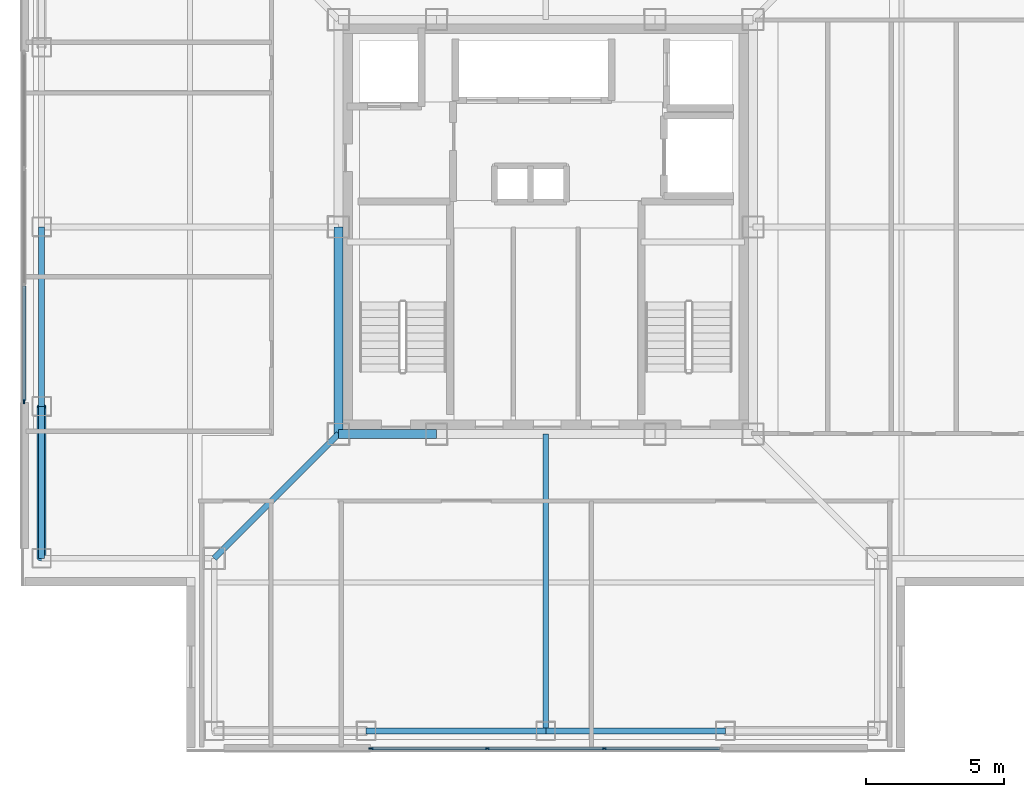
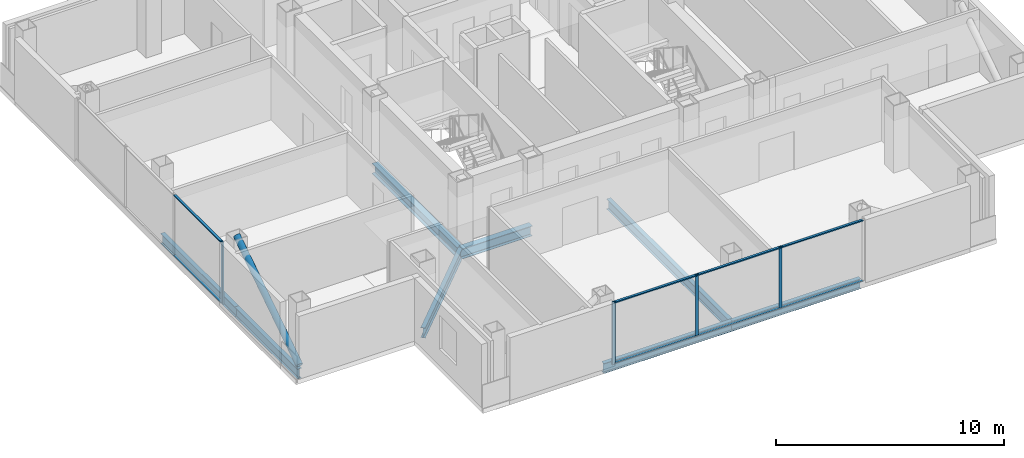
# One storey, part 2 of 16: 13 members, 8 beams, 2 elements without a shape of their own.
"""IFC4 building model written with IfcOpenShell, lengths in metres."""

from ifc_helpers import new_model, si_unit, direction, frame, origin, origin_2d, place, context, subcontext, project, spatial, rectangle, hollow_circle, i_section, extrude, material, layer, layer_set, material_profile, profile_set, type_object, element, aggregate, save


model = new_model("IFC4")

# Units and contexts
model_context = context("Model", 3, precision=1e-05, world=origin(), true_north=direction((0.0, 1.0)))
body_context = subcontext(model_context, "Body", "Model", "MODEL_VIEW")
ifc_project = project(units=[si_unit("LENGTHUNIT", "METRE"), si_unit("AREAUNIT", "SQUARE_METRE"), si_unit("VOLUMEUNIT", "CUBIC_METRE"), si_unit("PLANEANGLEUNIT", "RADIAN"), si_unit("MASSUNIT", "GRAM", prefix="KILO")], contexts=[model_context])

# Site, building, storey
site_placement = place(None, origin())
site = spatial("IfcSite", under=ifc_project, at=site_placement, CompositionType="ELEMENT")
building_placement = place(site_placement, origin())
building = spatial("IfcBuilding", under=site, at=building_placement, Name="Trevonay Congress Spire", CompositionType="ELEMENT")
storey_placement = place(building_placement, frame((0.0, 0.0, 279.199951171875)))
storey = spatial("IfcBuildingStorey", under=building, at=storey_placement, Name="L73", CompositionType="ELEMENT", Elevation=279.199951171875)

# Beams
ifc_material_1 = material(Name="Steel ASTM A572 Grade 50", Category="steel")
ifc_material_profile_1 = material_profile(ifc_material_1, i_section(OverallWidth=0.2119140625, OverallDepth=0.5439453125, WebThickness=0.01318359375, FlangeThickness=0.021240234375, FilletRadius=0.014892578125, at=origin_2d()), Name="W530x123")
ifc_profile_set_1 = profile_set([ifc_material_profile_1], Name="Steel ASTM A572 Grade 50")
beam_type_1 = type_object("IfcBeamType", Name="BM-GIRD-W530X123", PredefinedType="BEAM", material=ifc_profile_set_1)
beam_1_placement = place(storey_placement, frame((-7.5, -7.5, -0.511962890625), z_axis=(-0.707106781187, -0.707106781187, 0.0), x_axis=(0.707106781187, -0.707106781187, 0.0)))
element("IfcBeam", 1, at=beam_1_placement, inside=storey, type_object=beam_type_1, Name="L73 structural beam BM-L73-CDSW", PredefinedType="BEAM", context=body_context, shape_type="SweptSolid", body=[
    extrude(i_section(OverallWidth=0.2119140625, OverallDepth=0.5439453125, WebThickness=0.01318359375, FlangeThickness=0.021240234375, FilletRadius=0.014892578125, at=origin_2d()), origin(), (0.0, 0.0, 1.0), 6.364013671875),
])
beam_2_placement = place(storey_placement, frame((0.0, -7.5, -0.511962890625), z_axis=(0.0, -1.0, 0.0), x_axis=(1.0, 0.0, 0.0)))
element("IfcBeam", 2, at=beam_2_placement, inside=storey, type_object=beam_type_1, Name="L73 structural beam BM-L73-GC-S", PredefinedType="BEAM", context=body_context, shape_type="SweptSolid", body=[
    extrude(i_section(OverallWidth=0.2119140625, OverallDepth=0.5439453125, WebThickness=0.01318359375, FlangeThickness=0.021240234375, FilletRadius=0.014892578125, at=origin_2d()), origin(), (0.0, 0.0, 1.0), 10.75),
])
ifc_material_profile_2 = material_profile(ifc_material_1, i_section(OverallWidth=0.31201171875, OverallDepth=0.54296875, WebThickness=0.0126953125, FlangeThickness=0.020263671875, FilletRadius=0.014892578125, at=origin_2d()), Name="W530x150")
ifc_profile_set_2 = profile_set([ifc_material_profile_2], Name="Steel ASTM A572 Grade 50")
beam_type_2 = type_object("IfcBeamType", Name="BM-GIRD-W530X150", PredefinedType="BEAM", material=ifc_profile_set_2)
beam_3_placement = place(storey_placement, frame((-7.5, -7.5, -0.511474609375), z_axis=(1.0, 0.0, 0.0), x_axis=(0.0, 1.0, 0.0)))
element("IfcBeam", 3, at=beam_3_placement, inside=storey, type_object=beam_type_2, Name="L73 structural beam BM-L73-CR-S1", PredefinedType="BEAM", context=body_context, shape_type="SweptSolid", body=[
    extrude(i_section(OverallWidth=0.31201171875, OverallDepth=0.54296875, WebThickness=0.0126953125, FlangeThickness=0.020263671875, FilletRadius=0.014892578125, at=origin_2d()), origin(), (0.0, 0.0, 1.0), 3.550048828125),
])
beam_4_placement = place(storey_placement, frame((-7.5, -7.5, -0.511474609375), z_axis=(0.0, 1.0, 0.0), x_axis=(-1.0, 0.0, 0.0)))
element("IfcBeam", 4, at=beam_4_placement, inside=storey, type_object=beam_type_2, Name="L73 structural beam BM-L73-CR-W1", PredefinedType="BEAM", context=body_context, shape_type="SweptSolid", body=[
    extrude(i_section(OverallWidth=0.31201171875, OverallDepth=0.54296875, WebThickness=0.0126953125, FlangeThickness=0.020263671875, FilletRadius=0.014892578125, at=origin_2d()), origin(), (0.0, 0.0, 1.0), 7.5),
])
ifc_material_profile_3 = material_profile(ifc_material_1, i_section(OverallWidth=0.208984375, OverallDepth=0.532958984375, WebThickness=0.01025390625, FlangeThickness=0.015625, FilletRadius=0.014892578125, at=origin_2d()), Name="W530x92")
ifc_profile_set_3 = profile_set([ifc_material_profile_3], Name="Steel ASTM A572 Grade 50")
beam_type_3 = type_object("IfcBeamType", Name="BM-RING-W530X92", PredefinedType="BEAM", material=ifc_profile_set_3)
beam_5_placement = place(storey_placement, frame((-18.25, -12.0, -0.50634765625), z_axis=(0.0, 1.0, 0.0), x_axis=(-1.0, 0.0, 0.0)))
element("IfcBeam", 5, at=beam_5_placement, inside=storey, type_object=beam_type_3, Name="L73 structural beam BM-L73-PW1", PredefinedType="BEAM", context=body_context, shape_type="SweptSolid", body=[
    extrude(i_section(OverallWidth=0.208984375, OverallDepth=0.532958984375, WebThickness=0.01025390625, FlangeThickness=0.015625, FilletRadius=0.014892578125, at=origin_2d()), origin(), (0.0, 0.0, 1.0), 5.5),
])
for number, where, z_axis, x_axis, name in (
    (6, (-6.5, -18.25, -0.50634765625), (1.0, 0.0, 0.0), (0.0, 1.0, 0.0), "L73 structural beam BM-L73-PS2"),
    (7, (-18.25, -6.5, -0.50634765625), (0.0, 1.0, 0.0), (-1.0, 0.0, 0.0), "L73 structural beam BM-L73-PW2"),
    (8, (0.0, -18.25, -0.50634765625), (1.0, 0.0, 0.0), (0.0, 1.0, 0.0), "L73 structural beam BM-L73-PS3"),
):
    element("IfcBeam", number, at=place(storey_placement, frame(where, z_axis=z_axis, x_axis=x_axis)), inside=storey, type_object=beam_type_3, Name=name, PredefinedType="BEAM", context=body_context, shape_type="SweptSolid", body=[
        extrude(i_section(OverallWidth=0.208984375, OverallDepth=0.532958984375, WebThickness=0.01025390625, FlangeThickness=0.015625, FilletRadius=0.014892578125, at=origin_2d()), origin(), (0.0, 0.0, 1.0), 6.5),
    ])

# Curtain wall, members
ifc_material_2 = material(Name="Pale Anodised Aluminium EN AW-6063-T6", Category="aluminium")
ifc_layer = layer(ifc_material_2, 0.1650390625, Name="Pale Anodised Aluminium EN AW-6063-T6")
ifc_layer_set = layer_set([ifc_layer], Name="Pale Anodised Aluminium EN AW-6063-T6")
curtain_wall_type = type_object("IfcCurtainWallType", Name="CW-SYS05-DIPLOM-PALE-METAL", PredefinedType="NOTDEFINED", material=ifc_layer_set)
curtain_wall_1_placement = place(storey_placement, origin())
curtain_wall_1 = element("IfcCurtainWall", 9, at=curtain_wall_1_placement, inside=storey, type_object=curtain_wall_type, Name="L73 S unitised curtain wall", PredefinedType="NOTDEFINED")
ifc_material_profile_4 = material_profile(ifc_material_2, rectangle(XDim=0.06005859375, YDim=0.159912109375, at=origin_2d()), Name="CW-MULLION-160-ALUMINIUM")
ifc_profile_set_4 = profile_set([ifc_material_profile_4], Name="Pale Anodised Aluminium EN AW-6063-T6")
member_type_1 = type_object("IfcMemberType", Name="CW-MULLION-160-ALUMINIUM", PredefinedType="MULLION", material=ifc_profile_set_4)
member_1_placement = place(storey_placement, frame((-6.320068359375, -18.8798828125, 0.0), z_axis=(0.0, 0.0, 1.0), x_axis=(0.0, 1.0, 0.0)))
member_1 = element("IfcMember", 10, at=member_1_placement, type_object=member_type_1, Name="CW05 mullion 1", PredefinedType="MULLION", context=body_context, shape_type="SweptSolid", body=[
    extrude(rectangle(XDim=0.06005859375, YDim=0.159912109375, at=origin_2d()), origin(), (0.0, 0.0, 1.0), 3.360107421875),
])
member_2_placement = place(storey_placement, frame((-2.11669921875, -18.8798828125, 0.0), z_axis=(0.0, 0.0, 1.0), x_axis=(0.0, 1.0, 0.0)))
member_2 = element("IfcMember", 11, at=member_2_placement, type_object=member_type_1, Name="CW05 mullion 2", PredefinedType="MULLION", context=body_context, shape_type="SweptSolid", body=[
    extrude(rectangle(XDim=0.06005859375, YDim=0.159912109375, at=origin_2d()), origin(), (0.0, 0.0, 1.0), 3.360107421875),
])
member_3_placement = place(storey_placement, frame((2.11669921875, -18.8798828125, 0.0), z_axis=(0.0, 0.0, 1.0), x_axis=(0.0, 1.0, 0.0)))
member_3 = element("IfcMember", 12, at=member_3_placement, type_object=member_type_1, Name="CW05 mullion 3", PredefinedType="MULLION", context=body_context, shape_type="SweptSolid", body=[
    extrude(rectangle(XDim=0.06005859375, YDim=0.159912109375, at=origin_2d()), origin(), (0.0, 0.0, 1.0), 3.360107421875),
])

# Curtain wall, member
curtain_wall_2_placement = place(storey_placement, origin())
curtain_wall_2 = element("IfcCurtainWall", 13, at=curtain_wall_2_placement, inside=storey, type_object=curtain_wall_type, Name="L73 W unitised curtain wall", PredefinedType="NOTDEFINED")
member_4_placement = place(storey_placement, frame((-18.8798828125, -6.320068359375, 0.0), z_axis=(0.0, 0.0, 1.0), x_axis=(-1.0, 0.0, 0.0)))
member_4 = element("IfcMember", 14, at=member_4_placement, type_object=member_type_1, Name="CW05 mullion 1", PredefinedType="MULLION", context=body_context, shape_type="SweptSolid", body=[
    extrude(rectangle(XDim=0.06005859375, YDim=0.159912109375, at=origin_2d()), origin(), (0.0, 0.0, 1.0), 3.360107421875),
])

# Member
ifc_material_profile_5 = material_profile(ifc_material_2, rectangle(XDim=0.1201171875, YDim=0.06005859375, at=origin_2d()), Name="CW-TRANSOM-120-ALUMINIUM")
ifc_profile_set_5 = profile_set([ifc_material_profile_5], Name="Pale Anodised Aluminium EN AW-6063-T6")
member_type_2 = type_object("IfcMemberType", Name="CW-TRANSOM-120-ALUMINIUM", PredefinedType="USERDEFINED", material=ifc_profile_set_5)
member_5_placement = place(storey_placement, frame((-6.2900390625, -18.8798828125, 0.06005859375), z_axis=(1.0, 0.0, 0.0), x_axis=(0.0, 1.0, 0.0)))
member_5 = element("IfcMember", 15, at=member_5_placement, type_object=member_type_2, Name="CW05 transom 1.1", ObjectType="TRANSOM", PredefinedType="USERDEFINED", context=body_context, shape_type="SweptSolid", body=[
    extrude(rectangle(XDim=0.1201171875, YDim=0.06005859375, at=origin_2d()), origin(), (0.0, 0.0, 1.0), 4.143310546875),
])

member_6_placement = place(storey_placement, frame((-6.2900390625, -18.8798828125, 3.300048828125), z_axis=(1.0, 0.0, 0.0), x_axis=(0.0, 1.0, 0.0)))
member_6 = element("IfcMember", 16, at=member_6_placement, type_object=member_type_2, Name="CW05 transom 1.2", ObjectType="TRANSOM", PredefinedType="USERDEFINED", context=body_context, shape_type="SweptSolid", body=[
    extrude(rectangle(XDim=0.1201171875, YDim=0.06005859375, at=origin_2d()), origin(), (0.0, 0.0, 1.0), 4.143310546875),
])

member_7_placement = place(storey_placement, frame((-2.086669921875, -18.8798828125, 0.06005859375), z_axis=(1.0, 0.0, 0.0), x_axis=(0.0, 1.0, 0.0)))
member_7 = element("IfcMember", 17, at=member_7_placement, type_object=member_type_2, Name="CW05 transom 2.1", ObjectType="TRANSOM", PredefinedType="USERDEFINED", context=body_context, shape_type="SweptSolid", body=[
    extrude(rectangle(XDim=0.1201171875, YDim=0.06005859375, at=origin_2d()), origin(), (0.0, 0.0, 1.0), 4.17333984375),
])

member_8_placement = place(storey_placement, frame((-2.086669921875, -18.8798828125, 3.300048828125), z_axis=(1.0, 0.0, 0.0), x_axis=(0.0, 1.0, 0.0)))
member_8 = element("IfcMember", 18, at=member_8_placement, type_object=member_type_2, Name="CW05 transom 2.2", ObjectType="TRANSOM", PredefinedType="USERDEFINED", context=body_context, shape_type="SweptSolid", body=[
    extrude(rectangle(XDim=0.1201171875, YDim=0.06005859375, at=origin_2d()), origin(), (0.0, 0.0, 1.0), 4.17333984375),
])

member_9_placement = place(storey_placement, frame((2.146728515625, -18.8798828125, 0.06005859375), z_axis=(1.0, 0.0, 0.0), x_axis=(0.0, 1.0, 0.0)))
member_9 = element("IfcMember", 19, at=member_9_placement, type_object=member_type_2, Name="CW05 transom 3.1", ObjectType="TRANSOM", PredefinedType="USERDEFINED", context=body_context, shape_type="SweptSolid", body=[
    extrude(rectangle(XDim=0.1201171875, YDim=0.06005859375, at=origin_2d()), origin(), (0.0, 0.0, 1.0), 4.143310546875),
])

member_10_placement = place(storey_placement, frame((2.146728515625, -18.8798828125, 3.300048828125), z_axis=(1.0, 0.0, 0.0), x_axis=(0.0, 1.0, 0.0)))
member_10 = element("IfcMember", 20, at=member_10_placement, type_object=member_type_2, Name="CW05 transom 3.2", ObjectType="TRANSOM", PredefinedType="USERDEFINED", context=body_context, shape_type="SweptSolid", body=[
    extrude(rectangle(XDim=0.1201171875, YDim=0.06005859375, at=origin_2d()), origin(), (0.0, 0.0, 1.0), 4.143310546875),
])

aggregate(curtain_wall_1, [member_1, member_2, member_3, member_5, member_6, member_7, member_8, member_9, member_10])

member_11_placement = place(storey_placement, frame((-18.8798828125, -6.2900390625, 0.06005859375), z_axis=(0.0, 1.0, 0.0), x_axis=(-1.0, 0.0, 0.0)))
member_11 = element("IfcMember", 21, at=member_11_placement, type_object=member_type_2, Name="CW05 transom 1.1", ObjectType="TRANSOM", PredefinedType="USERDEFINED", context=body_context, shape_type="SweptSolid", body=[
    extrude(rectangle(XDim=0.1201171875, YDim=0.06005859375, at=origin_2d()), origin(), (0.0, 0.0, 1.0), 4.143310546875),
])

member_12_placement = place(storey_placement, frame((-18.8798828125, -6.2900390625, 3.300048828125), z_axis=(0.0, 1.0, 0.0), x_axis=(-1.0, 0.0, 0.0)))
member_12 = element("IfcMember", 22, at=member_12_placement, type_object=member_type_2, Name="CW05 transom 1.2", ObjectType="TRANSOM", PredefinedType="USERDEFINED", context=body_context, shape_type="SweptSolid", body=[
    extrude(rectangle(XDim=0.1201171875, YDim=0.06005859375, at=origin_2d()), origin(), (0.0, 0.0, 1.0), 4.143310546875),
])

aggregate(curtain_wall_2, [member_4, member_11, member_12])

ifc_material_3 = material(Name="Steel ASTM A500 Grade C", Category="steel")
ifc_material_profile_6 = material_profile(ifc_material_3, hollow_circle(Radius=0.161865234375, WallThickness=0.01611328125, at=origin_2d()), Name="CHS 323.9x16")
ifc_profile_set_6 = profile_set([ifc_material_profile_6], Name="Steel ASTM A500 Grade C")
member_type_3 = type_object("IfcMemberType", Name="MBR-TUBE-CHS324", PredefinedType="BRACE", material=ifc_profile_set_6)
member_13_placement = place(storey_placement, frame((-18.25, -12.0, -0.050048828125), z_axis=(0.0, 0.836694709366, 0.547669574943), x_axis=(-1.0, 0.0, 0.0)))
element("IfcMember", 23, at=member_13_placement, inside=storey, type_object=member_type_3, Name="L73 perimeter braced-tube diagonal W0", PredefinedType="BRACE", context=body_context, shape_type="SweptSolid", body=[
    extrude(hollow_circle(Radius=0.161865234375, WallThickness=0.01611328125, at=origin_2d()), origin(), (0.0, 0.0, 1.0), 6.573486328125),
])

save(model, "model.ifc")
